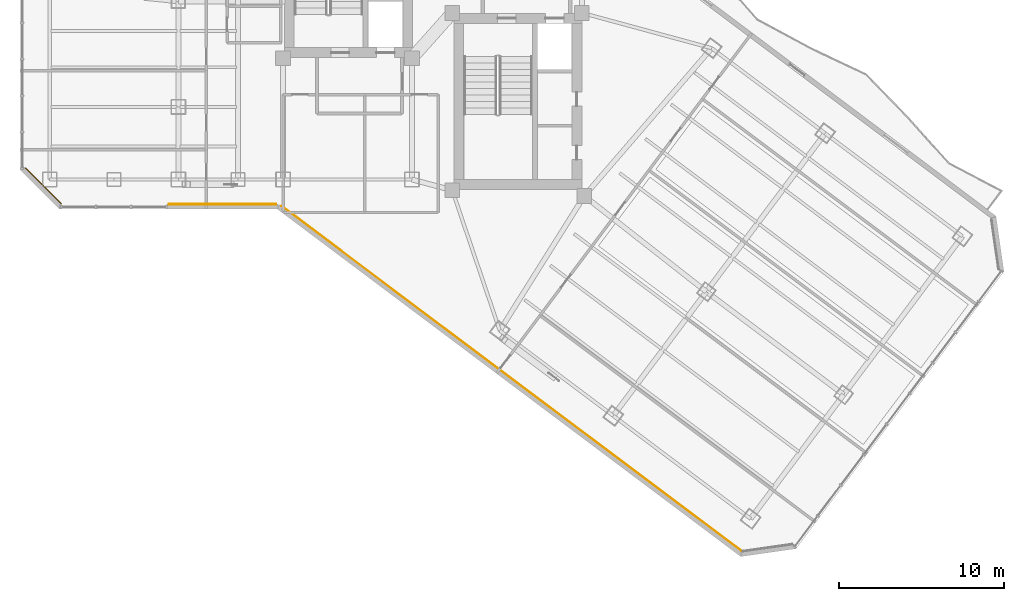
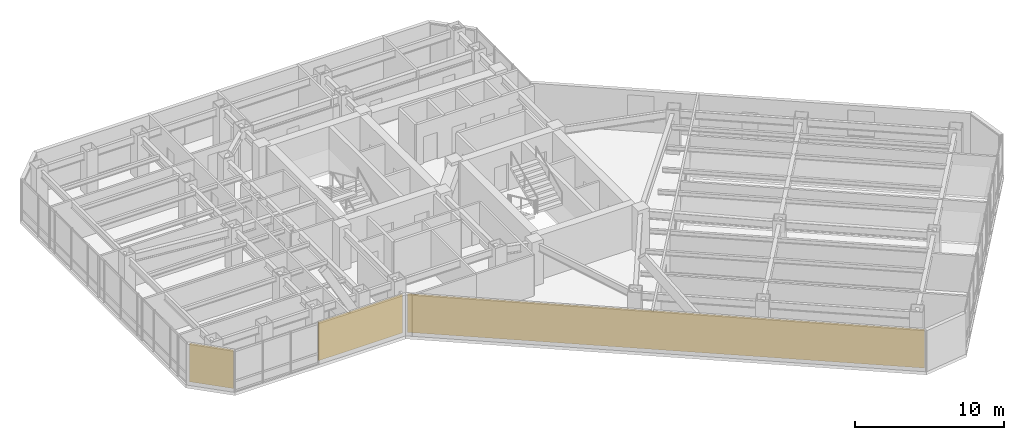
# One storey, part 27 of 31: 3 coverings.
"""IFC4 building model written with IfcOpenShell, lengths in metres."""

from ifc_helpers import new_model, si_unit, direction, frame, origin, origin_2d, place, context, subcontext, project, spatial, rectangle, extrude, material, layer, layer_set, type_object, element, save


model = new_model("IFC4")

# Units and contexts
model_context = context("Model", 3, precision=1e-05, world=origin(), true_north=direction((0.0, 1.0)))
body_context = subcontext(model_context, "Body", "Model", "MODEL_VIEW")
ifc_project = project(units=[si_unit("LENGTHUNIT", "METRE"), si_unit("AREAUNIT", "SQUARE_METRE"), si_unit("VOLUMEUNIT", "CUBIC_METRE"), si_unit("PLANEANGLEUNIT", "RADIAN"), si_unit("MASSUNIT", "GRAM", prefix="KILO")], contexts=[model_context])

# Site, building, storey
site_placement = place(None, origin())
site = spatial("IfcSite", under=ifc_project, at=site_placement, CompositionType="ELEMENT")
building_placement = place(site_placement, origin())
building = spatial("IfcBuilding", under=site, at=building_placement, Name="Hatsunagi Terrace Concourse", CompositionType="ELEMENT")
storey_placement = place(building_placement, frame((0.0, 0.0, 122.85009765625)))
storey = spatial("IfcBuildingStorey", under=building, at=storey_placement, Name="L32", CompositionType="ELEMENT", Elevation=122.85009765625)

# Coverings
ifc_material = material(Name="Unglazed Warm Terracotta Rainscreen Tile", Category="masonry")
ifc_layer = layer(ifc_material, 0.044921875)
ifc_layer_set = layer_set([ifc_layer], Name="TerracottaRainscreenCladding_45")
covering_type = type_object("IfcCoveringType", Name="TerracottaRainscreenCladding_45", PredefinedType="CLADDING", material=ifc_layer_set)
covering_1_placement = place(storey_placement, frame((39.3798828125, 13.14306640625, 0.099853515625), z_axis=(0.0, 0.0, 1.0), x_axis=(-0.800003116929, 0.599995844072, 0.0)))
element("IfcCovering", 1, at=covering_1_placement, inside=storey, type_object=covering_type, Name="Terracotta Rainscreen Cladding L32-05", PredefinedType="CLADDING", context=body_context, shape_type="SweptSolid", body=[
    extrude(rectangle(XDim=34.84912109375, YDim=0.044921875, at=origin_2d()), origin(), (0.0, 0.0, 1.0), 3.14990234375),
])
covering_2_placement = place(storey_placement, frame((21.873046875, 23.701904296875, 0.099853515625), z_axis=(0.0, 0.0, 1.0), x_axis=(-1.0, 0.0, 0.0)))
element("IfcCovering", 2, at=covering_2_placement, inside=storey, type_object=covering_type, Name="Terracotta Rainscreen Cladding L32-06", PredefinedType="CLADDING", context=body_context, shape_type="SweptSolid", body=[
    extrude(rectangle(XDim=6.507080078125, YDim=0.044921875, at=origin_2d()), origin(), (0.0, 0.0, 1.0), 3.14990234375),
])
covering_3_placement = place(storey_placement, frame((11.013916015625, 24.81396484375, 0.099853515625), z_axis=(0.0, 0.0, 1.0), x_axis=(-0.707106781187, 0.707106781187, 0.0)))
element("IfcCovering", 3, at=covering_3_placement, inside=storey, type_object=covering_type, Name="Terracotta Rainscreen Cladding L32-08", PredefinedType="CLADDING", context=body_context, shape_type="SweptSolid", body=[
    extrude(rectangle(XDim=3.0380859375, YDim=0.044921875, at=origin_2d()), origin(), (0.0, 0.0, 1.0), 3.14990234375),
])

save(model, "model.ifc")
